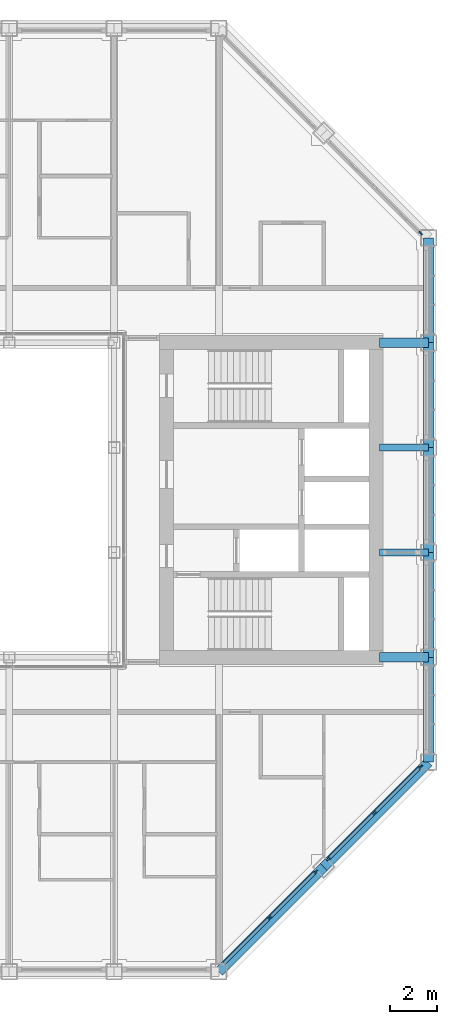
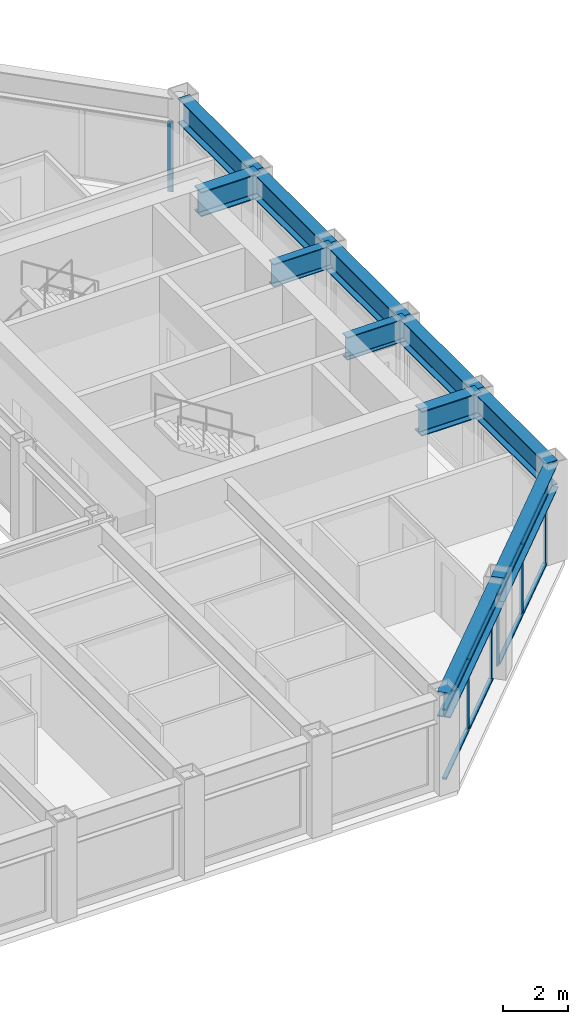
# One storey, part 5 of 17: 14 members, 11 beams, 3 elements without a shape of their own.
"""IFC4 building model written with IfcOpenShell, lengths in metres."""

from ifc_helpers import new_model, si_unit, direction, frame, origin, origin_2d, place, context, subcontext, project, spatial, rectangle, i_section, extrude, material, material_profile, profile_set, type_object, element, aggregate, save


model = new_model("IFC4")

# Units and contexts
model_context = context("Model", 3, precision=1e-05, world=origin(), true_north=direction((0.0, 1.0)))
body_context = subcontext(model_context, "Body", "Model", "MODEL_VIEW")
ifc_project = project(units=[si_unit("LENGTHUNIT", "METRE"), si_unit("AREAUNIT", "SQUARE_METRE"), si_unit("VOLUMEUNIT", "CUBIC_METRE"), si_unit("PLANEANGLEUNIT", "RADIAN"), si_unit("MASSUNIT", "GRAM", prefix="KILO")], contexts=[model_context])

# Site, building, storey
site_placement = place(None, origin())
site = spatial("IfcSite", under=ifc_project, at=site_placement, CompositionType="ELEMENT")
building_placement = place(site_placement, origin())
building = spatial("IfcBuilding", under=site, at=building_placement, Name="Msasa Ring Tower", CompositionType="ELEMENT")
storey_placement = place(building_placement, frame((0.0, 0.0, 238.300048828125)))
storey = spatial("IfcBuildingStorey", under=building, at=storey_placement, Name="L62", CompositionType="ELEMENT", Elevation=238.300048828125)

# Curtain wall, members
ifc_material_1 = material(Name="Aluminium curtain wall with clear glass", Category="aluminium")
curtain_wall_type = type_object("IfcCurtainWallType", Name="CW-C CHAMFER CORNER CURTAIN WALL", PredefinedType="NOTDEFINED", material=ifc_material_1)
curtain_wall_1_placement = place(storey_placement, origin())
curtain_wall_1 = element("IfcCurtainWall", 1, at=curtain_wall_1_placement, inside=storey, type_object=curtain_wall_type, Name="Chamfer corner curtain wall SE L62", PredefinedType="NOTDEFINED")
ifc_material_2 = material(Name="Aluminium mullion", Category="aluminium")
ifc_material_profile_1 = material_profile(ifc_material_2, rectangle(XDim=0.06494140625, YDim=0.179931640625, at=origin_2d()), Name="AL 65x180")
ifc_profile_set_1 = profile_set([ifc_material_profile_1], Name="Aluminium mullion")
member_type_1 = type_object("IfcMemberType", Name="CW-C MULLION 65x180", PredefinedType="MULLION", material=ifc_profile_set_1)
member_1_placement = place(storey_placement, frame((13.42919921875, -17.92919921875, 0.0), z_axis=(0.0, 0.0, 1.0), x_axis=(-0.707106781187, 0.707106781187, 0.0)))
member_1 = element("IfcMember", 2, at=member_1_placement, type_object=member_type_1, Name="CW-C mullion 2", PredefinedType="MULLION", context=body_context, shape_type="SweptSolid", body=[
    extrude(rectangle(XDim=0.06494140625, YDim=0.179931640625, at=origin_2d()), origin(), (0.0, 0.0, 1.0), 2.62890625),
])
member_2_placement = place(storey_placement, frame((15.4052734375, -15.953369140625, 0.0), z_axis=(0.0, 0.0, 1.0), x_axis=(-0.707106781187, 0.707106781187, 0.0)))
member_2 = element("IfcMember", 3, at=member_2_placement, type_object=member_type_1, Name="CW-C mullion 3", PredefinedType="MULLION", context=body_context, shape_type="SweptSolid", body=[
    extrude(rectangle(XDim=0.06494140625, YDim=0.179931640625, at=origin_2d()), origin(), (0.0, 0.0, 1.0), 2.62890625),
])

curtain_wall_2_placement = place(storey_placement, origin())
curtain_wall_2 = element("IfcCurtainWall", 4, at=curtain_wall_2_placement, inside=storey, type_object=curtain_wall_type, Name="Chamfer corner curtain wall SE L62", PredefinedType="NOTDEFINED")
member_3_placement = place(storey_placement, frame((15.953369140625, -15.4052734375, 0.0), z_axis=(0.0, 0.0, 1.0), x_axis=(-0.707106781187, 0.707106781187, 0.0)))
member_3 = element("IfcMember", 5, at=member_3_placement, type_object=member_type_1, Name="CW-C mullion 1", PredefinedType="MULLION", context=body_context, shape_type="SweptSolid", body=[
    extrude(rectangle(XDim=0.06494140625, YDim=0.179931640625, at=origin_2d()), origin(), (0.0, 0.0, 1.0), 2.62890625),
])
member_4_placement = place(storey_placement, frame((17.92919921875, -13.42919921875, 0.0), z_axis=(0.0, 0.0, 1.0), x_axis=(-0.707106781187, 0.707106781187, 0.0)))
member_4 = element("IfcMember", 6, at=member_4_placement, type_object=member_type_1, Name="CW-C mullion 2", PredefinedType="MULLION", context=body_context, shape_type="SweptSolid", body=[
    extrude(rectangle(XDim=0.06494140625, YDim=0.179931640625, at=origin_2d()), origin(), (0.0, 0.0, 1.0), 2.62890625),
])
member_5_placement = place(storey_placement, frame((19.9052734375, -11.453369140625, 0.0), z_axis=(0.0, 0.0, 1.0), x_axis=(-0.707106781187, 0.707106781187, 0.0)))
member_5 = element("IfcMember", 7, at=member_5_placement, type_object=member_type_1, Name="CW-C mullion 3", PredefinedType="MULLION", context=body_context, shape_type="SweptSolid", body=[
    extrude(rectangle(XDim=0.06494140625, YDim=0.179931640625, at=origin_2d()), origin(), (0.0, 0.0, 1.0), 2.62890625),
])

# Curtain wall, member
curtain_wall_3_placement = place(storey_placement, origin())
curtain_wall_3 = element("IfcCurtainWall", 8, at=curtain_wall_3_placement, inside=storey, type_object=curtain_wall_type, Name="Chamfer corner curtain wall NE L62", PredefinedType="NOTDEFINED")
member_6_placement = place(storey_placement, frame((19.9052734375, 11.453369140625, 0.0), z_axis=(0.0, 0.0, 1.0), x_axis=(-0.707106781187, -0.707106781187, 0.0)))
member_6 = element("IfcMember", 9, at=member_6_placement, type_object=member_type_1, Name="CW-C mullion 1", PredefinedType="MULLION", context=body_context, shape_type="SweptSolid", body=[
    extrude(rectangle(XDim=0.06494140625, YDim=0.179931640625, at=origin_2d()), origin(), (0.0, 0.0, 1.0), 2.62890625),
])
aggregate(curtain_wall_3, [member_6])

# Member
ifc_material_3 = material(Name="Aluminium transom", Category="aluminium")
ifc_material_profile_2 = material_profile(ifc_material_3, rectangle(XDim=0.139892578125, YDim=0.06494140625, at=origin_2d()), Name="AL 65x140")
ifc_profile_set_2 = profile_set([ifc_material_profile_2], Name="Aluminium transom")
member_type_2 = type_object("IfcMemberType", Name="CW-C TRANSOM 65x140", PredefinedType="USERDEFINED", material=ifc_profile_set_2)
member_7_placement = place(storey_placement, frame((11.476318359375, -19.88232421875, 0.032470703125), z_axis=(0.707106781187, 0.707106781187, 0.0), x_axis=(-0.707106781187, 0.707106781187, 0.0)))
member_7 = element("IfcMember", 10, at=member_7_placement, type_object=member_type_2, Name="CW-C transom 1.1", ObjectType="TRANSOM", PredefinedType="USERDEFINED", context=body_context, shape_type="SweptSolid", body=[
    extrude(rectangle(XDim=0.139892578125, YDim=0.06494140625, at=origin_2d()), origin(), (0.0, 0.0, 1.0), 2.729248046875),
])

member_8_placement = place(storey_placement, frame((11.476318359375, -19.88232421875, 2.596435546875), z_axis=(0.707106781187, 0.707106781187, 0.0), x_axis=(-0.707106781187, 0.707106781187, 0.0)))
member_8 = element("IfcMember", 11, at=member_8_placement, type_object=member_type_2, Name="CW-C transom 1.2", ObjectType="TRANSOM", PredefinedType="USERDEFINED", context=body_context, shape_type="SweptSolid", body=[
    extrude(rectangle(XDim=0.139892578125, YDim=0.06494140625, at=origin_2d()), origin(), (0.0, 0.0, 1.0), 2.729248046875),
])

member_9_placement = place(storey_placement, frame((13.452392578125, -17.90625, 0.032470703125), z_axis=(0.707106781187, 0.707106781187, 0.0), x_axis=(-0.707106781187, 0.707106781187, 0.0)))
member_9 = element("IfcMember", 12, at=member_9_placement, type_object=member_type_2, Name="CW-C transom 2.1", ObjectType="TRANSOM", PredefinedType="USERDEFINED", context=body_context, shape_type="SweptSolid", body=[
    extrude(rectangle(XDim=0.139892578125, YDim=0.06494140625, at=origin_2d()), origin(), (0.0, 0.0, 1.0), 2.729248046875),
])

member_10_placement = place(storey_placement, frame((13.452392578125, -17.90625, 2.596435546875), z_axis=(0.707106781187, 0.707106781187, 0.0), x_axis=(-0.707106781187, 0.707106781187, 0.0)))
member_10 = element("IfcMember", 13, at=member_10_placement, type_object=member_type_2, Name="CW-C transom 2.2", ObjectType="TRANSOM", PredefinedType="USERDEFINED", context=body_context, shape_type="SweptSolid", body=[
    extrude(rectangle(XDim=0.139892578125, YDim=0.06494140625, at=origin_2d()), origin(), (0.0, 0.0, 1.0), 2.729248046875),
])

aggregate(curtain_wall_1, [member_1, member_2, member_7, member_8, member_9, member_10])

member_11_placement = place(storey_placement, frame((15.976318359375, -15.38232421875, 0.032470703125), z_axis=(0.707106781187, 0.707106781187, 0.0), x_axis=(-0.707106781187, 0.707106781187, 0.0)))
member_11 = element("IfcMember", 14, at=member_11_placement, type_object=member_type_2, Name="CW-C transom 1.1", ObjectType="TRANSOM", PredefinedType="USERDEFINED", context=body_context, shape_type="SweptSolid", body=[
    extrude(rectangle(XDim=0.139892578125, YDim=0.06494140625, at=origin_2d()), origin(), (0.0, 0.0, 1.0), 2.729248046875),
])

member_12_placement = place(storey_placement, frame((15.976318359375, -15.38232421875, 2.596435546875), z_axis=(0.707106781187, 0.707106781187, 0.0), x_axis=(-0.707106781187, 0.707106781187, 0.0)))
member_12 = element("IfcMember", 15, at=member_12_placement, type_object=member_type_2, Name="CW-C transom 1.2", ObjectType="TRANSOM", PredefinedType="USERDEFINED", context=body_context, shape_type="SweptSolid", body=[
    extrude(rectangle(XDim=0.139892578125, YDim=0.06494140625, at=origin_2d()), origin(), (0.0, 0.0, 1.0), 2.729248046875),
])

member_13_placement = place(storey_placement, frame((17.952392578125, -13.40625, 0.032470703125), z_axis=(0.707106781187, 0.707106781187, 0.0), x_axis=(-0.707106781187, 0.707106781187, 0.0)))
member_13 = element("IfcMember", 16, at=member_13_placement, type_object=member_type_2, Name="CW-C transom 2.1", ObjectType="TRANSOM", PredefinedType="USERDEFINED", context=body_context, shape_type="SweptSolid", body=[
    extrude(rectangle(XDim=0.139892578125, YDim=0.06494140625, at=origin_2d()), origin(), (0.0, 0.0, 1.0), 2.729248046875),
])

member_14_placement = place(storey_placement, frame((17.952392578125, -13.40625, 2.596435546875), z_axis=(0.707106781187, 0.707106781187, 0.0), x_axis=(-0.707106781187, 0.707106781187, 0.0)))
member_14 = element("IfcMember", 17, at=member_14_placement, type_object=member_type_2, Name="CW-C transom 2.2", ObjectType="TRANSOM", PredefinedType="USERDEFINED", context=body_context, shape_type="SweptSolid", body=[
    extrude(rectangle(XDim=0.139892578125, YDim=0.06494140625, at=origin_2d()), origin(), (0.0, 0.0, 1.0), 2.729248046875),
])

aggregate(curtain_wall_2, [member_3, member_4, member_5, member_11, member_12, member_13, member_14])

# Beams
ifc_material_4 = material(Name="Steel S355", Category="steel")
ifc_material_profile_3 = material_profile(ifc_material_4, i_section(OverallWidth=0.293701171875, OverallDepth=0.850830078125, WebThickness=0.01611328125, FlangeThickness=0.02685546875, FilletRadius=0.017822265625, at=origin_2d()), Name="UB 838x292x226")
ifc_profile_set_3 = profile_set([ifc_material_profile_3], Name="Steel S355")
beam_type_1 = type_object("IfcBeamType", Name="FB5 UB 838x292x226", PredefinedType="BEAM", material=ifc_profile_set_3)
for number, where, z_axis, x_axis, name in (
    (18, (20.25, -2.25, 3.12451171875), (-1.0, 0.0, 0.0), (0.0, -1.0, 0.0), "Floor beam E -2.25 under L63"),
    (19, (20.25, 2.25, 3.12451171875), (-1.0, 0.0, 0.0), (0.0, -1.0, 0.0), "Floor beam E +2.25 under L63"),
):
    element("IfcBeam", number, at=place(storey_placement, frame(where, z_axis=z_axis, x_axis=x_axis)), inside=storey, type_object=beam_type_1, Name=name, PredefinedType="BEAM", context=body_context, shape_type="SweptSolid", body=[
        extrude(i_section(OverallWidth=0.293701171875, OverallDepth=0.850830078125, WebThickness=0.01611328125, FlangeThickness=0.02685546875, FilletRadius=0.017822265625, at=origin_2d()), origin(), (0.0, 0.0, 1.0), 2.10009765625),
    ])
ifc_material_5 = material(Name="Steel S355", Category="steel")
ifc_material_profile_4 = material_profile(ifc_material_5, i_section(OverallWidth=0.42041015625, OverallDepth=0.9208984375, WebThickness=0.021484375, FlangeThickness=0.03662109375, FilletRadius=0.024169921875, at=origin_2d()), Name="UB 914x419x388")
ifc_profile_set_4 = profile_set([ifc_material_profile_4], Name="Steel S355")
beam_type_2 = type_object("IfcBeamType", Name="GB1 UB 914x419x388", PredefinedType="BEAM", material=ifc_profile_set_4)
for number, where, z_axis, x_axis, name in (
    (20, (18.14990234375, 6.75, 3.08935546875), (1.0, 0.0, 0.0), (0.0, 1.0, 0.0), "Girder E +6.75 under L63"),
    (21, (18.14990234375, -6.75, 3.08935546875), (1.0, 0.0, 0.0), (0.0, 1.0, 0.0), "Girder E -6.75 under L63"),
):
    element("IfcBeam", number, at=place(storey_placement, frame(where, z_axis=z_axis, x_axis=x_axis)), inside=storey, type_object=beam_type_2, Name=name, PredefinedType="BEAM", context=body_context, shape_type="SweptSolid", body=[
        extrude(i_section(OverallWidth=0.42041015625, OverallDepth=0.9208984375, WebThickness=0.021484375, FlangeThickness=0.03662109375, FilletRadius=0.024169921875, at=origin_2d()), origin(), (0.0, 0.0, 1.0), 2.10009765625),
    ])
ifc_material_6 = material(Name="Steel S355", Category="steel")
ifc_material_profile_5 = material_profile(ifc_material_6, i_section(OverallWidth=0.42041015625, OverallDepth=0.9208984375, WebThickness=0.021484375, FlangeThickness=0.03662109375, FilletRadius=0.024169921875, at=origin_2d()), Name="UB 914x419x388")
ifc_profile_set_5 = profile_set([ifc_material_profile_5], Name="Steel S355")
beam_type_3 = type_object("IfcBeamType", Name="SB1 UB 914x419x388", PredefinedType="SPANDREL", material=ifc_profile_set_5)
for number, where, z_axis, x_axis, name in (
    (22, (11.25, -20.25, 3.08935546875), (0.707106781187, 0.707106781187, 0.0), (-0.707106781187, 0.707106781187, 0.0), "Spandrel S+11.25 to SE under L63"),
    (23, (15.75, -15.75, 3.08935546875), (0.707106781187, 0.707106781187, 0.0), (-0.707106781187, 0.707106781187, 0.0), "Spandrel SE to E-11.25 under L63"),
):
    element("IfcBeam", number, at=place(storey_placement, frame(where, z_axis=z_axis, x_axis=x_axis)), inside=storey, type_object=beam_type_3, Name=name, PredefinedType="SPANDREL", context=body_context, shape_type="SweptSolid", body=[
        extrude(i_section(OverallWidth=0.42041015625, OverallDepth=0.9208984375, WebThickness=0.021484375, FlangeThickness=0.03662109375, FilletRadius=0.024169921875, at=origin_2d()), origin(), (0.0, 0.0, 1.0), 6.364013671875),
    ])
for number, where, z_axis, x_axis, name in (
    (24, (20.25, -11.25, 3.08935546875), (0.0, 1.0, 0.0), (-1.0, 0.0, 0.0), "Spandrel E-11.25 to E-6.75 under L63"),
    (25, (20.25, -6.75, 3.08935546875), (0.0, 1.0, 0.0), (-1.0, 0.0, 0.0), "Spandrel E-6.75 to E-2.25 under L63"),
    (26, (20.25, -2.25, 3.08935546875), (0.0, 1.0, 0.0), (-1.0, 0.0, 0.0), "Spandrel E-2.25 to E+2.25 under L63"),
    (27, (20.25, 2.25, 3.08935546875), (0.0, 1.0, 0.0), (-1.0, 0.0, 0.0), "Spandrel E+2.25 to E+6.75 under L63"),
    (28, (20.25, 6.75, 3.08935546875), (0.0, 1.0, 0.0), (-1.0, 0.0, 0.0), "Spandrel E+6.75 to E+11.25 under L63"),
):
    element("IfcBeam", number, at=place(storey_placement, frame(where, z_axis=z_axis, x_axis=x_axis)), inside=storey, type_object=beam_type_3, Name=name, PredefinedType="SPANDREL", context=body_context, shape_type="SweptSolid", body=[
        extrude(i_section(OverallWidth=0.42041015625, OverallDepth=0.9208984375, WebThickness=0.021484375, FlangeThickness=0.03662109375, FilletRadius=0.024169921875, at=origin_2d()), origin(), (0.0, 0.0, 1.0), 4.5),
    ])

save(model, "model.ifc")
